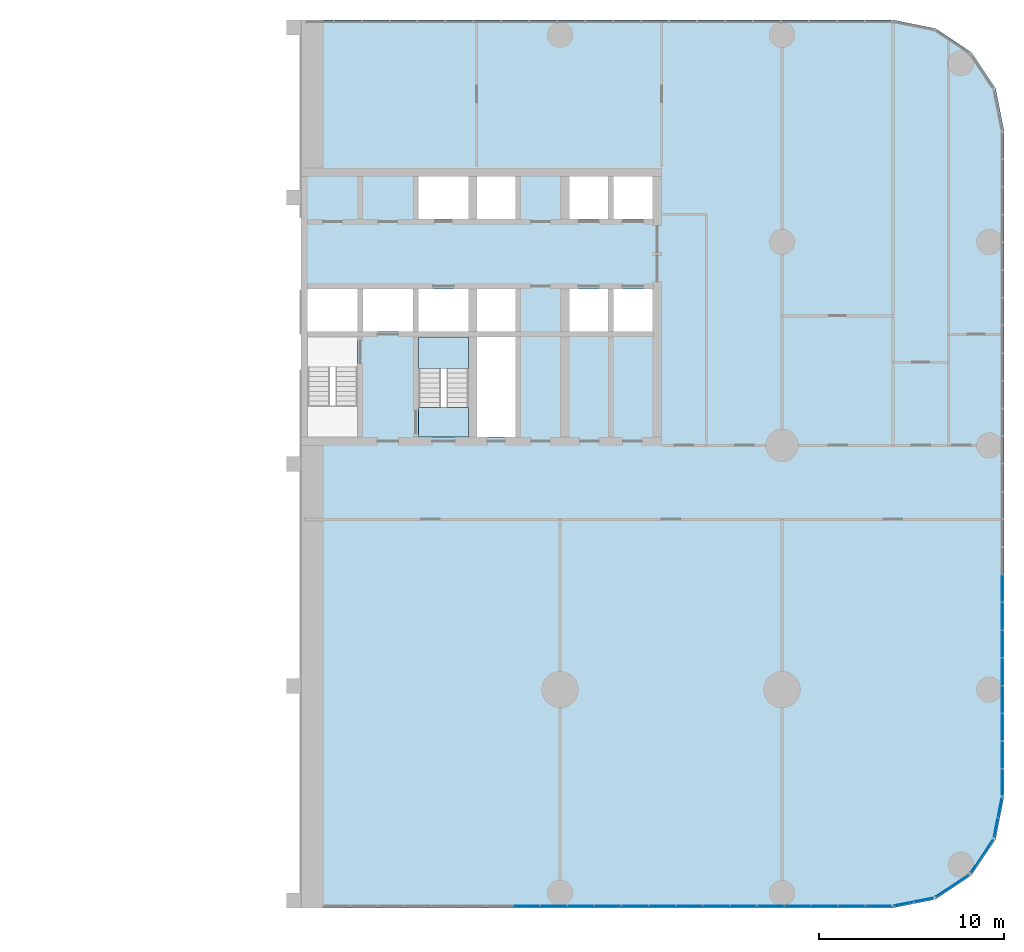
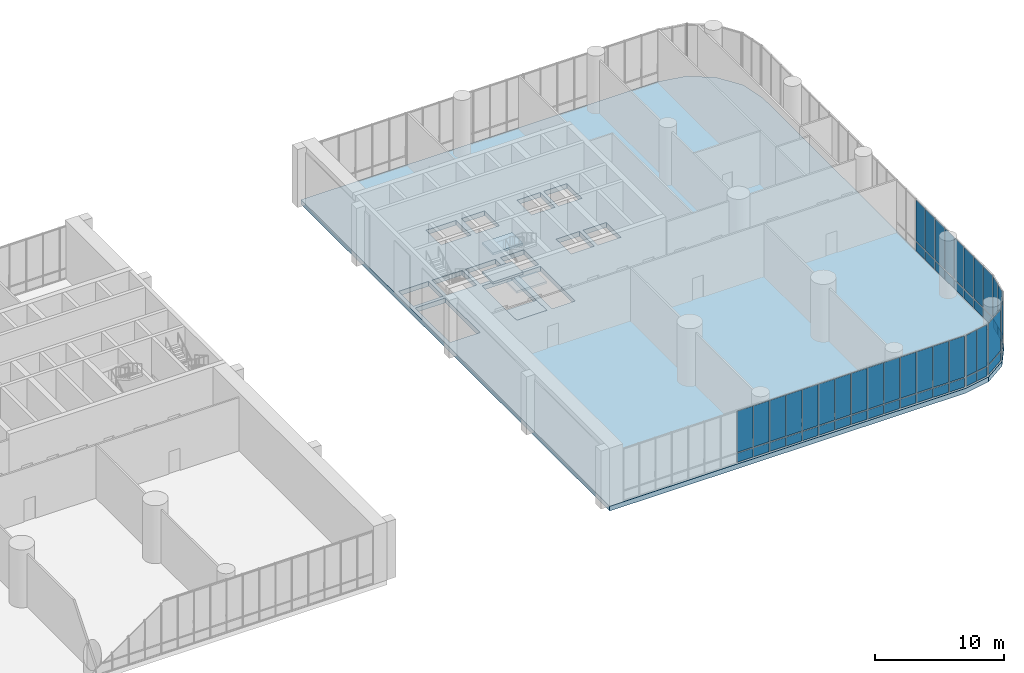
# One storey, part 19 of 28: 56 plates, 5 slabs, 7 elements without a shape of their own.
"""IFC4 building model written with IfcOpenShell, lengths in metres."""

from ifc_helpers import new_model, si_unit, direction, frame, origin, origin_2d, place, context, subcontext, project, spatial, polyline, rectangle, outline, extrude, material, layer, layer_set, type_object, element, aggregate, save


model = new_model("IFC4")

# Units and contexts
model_context = context("Model", 3, precision=1e-05, world=origin(), true_north=direction((0.0, 1.0)))
body_context = subcontext(model_context, "Body", "Model", "MODEL_VIEW")
ifc_project = project(units=[si_unit("LENGTHUNIT", "METRE"), si_unit("AREAUNIT", "SQUARE_METRE"), si_unit("VOLUMEUNIT", "CUBIC_METRE"), si_unit("PLANEANGLEUNIT", "RADIAN"), si_unit("MASSUNIT", "GRAM", prefix="KILO")], contexts=[model_context])

# Site, building, storey
site_placement = place(None, origin())
site = spatial("IfcSite", under=ifc_project, at=site_placement, CompositionType="ELEMENT")
building_placement = place(site_placement, origin())
building = spatial("IfcBuilding", under=site, at=building_placement, Name="Torana Hotel and Residences", CompositionType="ELEMENT")
storey_placement = place(building_placement, frame((0.0, 0.0, 7.0)))
storey = spatial("IfcBuildingStorey", under=building, at=storey_placement, Name="L01", CompositionType="ELEMENT", Elevation=7.0)

# Curtain wall, plates
ifc_material_1 = material(Name="Dark anodised aluminium", Category="aluminium")
ifc_layer_1 = layer(ifc_material_1, 0.14990234375)
ifc_layer_set_1 = layer_set([ifc_layer_1], Name="CW5 PODIUM UPPER UNITISED CURTAIN WALL")
curtain_wall_type = type_object("IfcCurtainWallType", Name="CW5 PODIUM UPPER UNITISED CURTAIN WALL", PredefinedType="NOTDEFINED", material=ifc_layer_set_1)
curtain_wall_1_placement = place(storey_placement, origin())
curtain_wall_1 = element("IfcCurtainWall", 1, at=curtain_wall_1_placement, inside=storey, type_object=curtain_wall_type, Name="Curtain wall CW5 L01 e1.0", PredefinedType="NOTDEFINED")
ifc_material_2 = material(Name="Glass clear low-iron laminated double glazed unit", Category="glass")
ifc_layer_2 = layer(ifc_material_2, 0.035888671875)
ifc_layer_set_2 = layer_set([ifc_layer_2], Name="CW5 DARK GLASS PANEL 36")
plate_type = type_object("IfcPlateType", Name="CW5 DARK GLASS PANEL 36", PredefinedType="CURTAIN_PANEL", material=ifc_layer_set_2)
plate_1_placement = place(storey_placement, frame((22.191162109375, -39.89990234375, 0.099853515625), z_axis=(0.0, 0.0, 1.0), x_axis=(1.0, 0.0, 0.0)))
plate_1 = element("IfcPlate", 2, at=plate_1_placement, type_object=plate_type, Name="CW5 panel 8.1", PredefinedType="CURTAIN_PANEL", context=body_context, shape_type="SweptSolid", body=[
    extrude(rectangle(XDim=1.405517578125, YDim=0.035888671875, at=origin_2d()), origin(), (0.0, 0.0, 1.0), 0.85009765625),
])
plate_2_placement = place(storey_placement, frame((22.191162109375, -39.89990234375, 1.050048828125), z_axis=(0.0, 0.0, 1.0), x_axis=(1.0, 0.0, 0.0)))
plate_2 = element("IfcPlate", 3, at=plate_2_placement, type_object=plate_type, Name="CW5 panel 8.2", PredefinedType="CURTAIN_PANEL", context=body_context, shape_type="SweptSolid", body=[
    extrude(rectangle(XDim=1.405517578125, YDim=0.035888671875, at=origin_2d()), origin(), (0.0, 0.0, 1.0), 3.89990234375),
])
plate_3_placement = place(storey_placement, frame((23.65673828125, -39.89990234375, 0.099853515625), z_axis=(0.0, 0.0, 1.0), x_axis=(1.0, 0.0, 0.0)))
plate_3 = element("IfcPlate", 4, at=plate_3_placement, type_object=plate_type, Name="CW5 panel 9.1", PredefinedType="CURTAIN_PANEL", context=body_context, shape_type="SweptSolid", body=[
    extrude(rectangle(XDim=1.405517578125, YDim=0.035888671875, at=origin_2d()), origin(), (0.0, 0.0, 1.0), 0.85009765625),
])
plate_4_placement = place(storey_placement, frame((23.65673828125, -39.89990234375, 1.050048828125), z_axis=(0.0, 0.0, 1.0), x_axis=(1.0, 0.0, 0.0)))
plate_4 = element("IfcPlate", 5, at=plate_4_placement, type_object=plate_type, Name="CW5 panel 9.2", PredefinedType="CURTAIN_PANEL", context=body_context, shape_type="SweptSolid", body=[
    extrude(rectangle(XDim=1.405517578125, YDim=0.035888671875, at=origin_2d()), origin(), (0.0, 0.0, 1.0), 3.89990234375),
])
plate_5_placement = place(storey_placement, frame((25.122314453125, -39.89990234375, 0.099853515625), z_axis=(0.0, 0.0, 1.0), x_axis=(1.0, 0.0, 0.0)))
plate_5 = element("IfcPlate", 6, at=plate_5_placement, type_object=plate_type, Name="CW5 panel 10.1", PredefinedType="CURTAIN_PANEL", context=body_context, shape_type="SweptSolid", body=[
    extrude(rectangle(XDim=1.405517578125, YDim=0.035888671875, at=origin_2d()), origin(), (0.0, 0.0, 1.0), 0.85009765625),
])
plate_6_placement = place(storey_placement, frame((25.122314453125, -39.89990234375, 1.050048828125), z_axis=(0.0, 0.0, 1.0), x_axis=(1.0, 0.0, 0.0)))
plate_6 = element("IfcPlate", 7, at=plate_6_placement, type_object=plate_type, Name="CW5 panel 10.2", PredefinedType="CURTAIN_PANEL", context=body_context, shape_type="SweptSolid", body=[
    extrude(rectangle(XDim=1.405517578125, YDim=0.035888671875, at=origin_2d()), origin(), (0.0, 0.0, 1.0), 3.89990234375),
])
plate_7_placement = place(storey_placement, frame((26.587646484375, -39.89990234375, 0.099853515625), z_axis=(0.0, 0.0, 1.0), x_axis=(1.0, 0.0, 0.0)))
plate_7 = element("IfcPlate", 8, at=plate_7_placement, type_object=plate_type, Name="CW5 panel 11.1", PredefinedType="CURTAIN_PANEL", context=body_context, shape_type="SweptSolid", body=[
    extrude(rectangle(XDim=1.405517578125, YDim=0.035888671875, at=origin_2d()), origin(), (0.0, 0.0, 1.0), 0.85009765625),
])
plate_8_placement = place(storey_placement, frame((26.587646484375, -39.89990234375, 1.050048828125), z_axis=(0.0, 0.0, 1.0), x_axis=(1.0, 0.0, 0.0)))
plate_8 = element("IfcPlate", 9, at=plate_8_placement, type_object=plate_type, Name="CW5 panel 11.2", PredefinedType="CURTAIN_PANEL", context=body_context, shape_type="SweptSolid", body=[
    extrude(rectangle(XDim=1.405517578125, YDim=0.035888671875, at=origin_2d()), origin(), (0.0, 0.0, 1.0), 3.89990234375),
])
plate_9_placement = place(storey_placement, frame((28.05322265625, -39.89990234375, 0.099853515625), z_axis=(0.0, 0.0, 1.0), x_axis=(1.0, 0.0, 0.0)))
plate_9 = element("IfcPlate", 10, at=plate_9_placement, type_object=plate_type, Name="CW5 panel 12.1", PredefinedType="CURTAIN_PANEL", context=body_context, shape_type="SweptSolid", body=[
    extrude(rectangle(XDim=1.405517578125, YDim=0.035888671875, at=origin_2d()), origin(), (0.0, 0.0, 1.0), 0.85009765625),
])
plate_10_placement = place(storey_placement, frame((28.05322265625, -39.89990234375, 1.050048828125), z_axis=(0.0, 0.0, 1.0), x_axis=(1.0, 0.0, 0.0)))
plate_10 = element("IfcPlate", 11, at=plate_10_placement, type_object=plate_type, Name="CW5 panel 12.2", PredefinedType="CURTAIN_PANEL", context=body_context, shape_type="SweptSolid", body=[
    extrude(rectangle(XDim=1.405517578125, YDim=0.035888671875, at=origin_2d()), origin(), (0.0, 0.0, 1.0), 3.89990234375),
])
plate_11_placement = place(storey_placement, frame((29.518798828125, -39.89990234375, 0.099853515625), z_axis=(0.0, 0.0, 1.0), x_axis=(1.0, 0.0, 0.0)))
plate_11 = element("IfcPlate", 12, at=plate_11_placement, type_object=plate_type, Name="CW5 panel 13.1", PredefinedType="CURTAIN_PANEL", context=body_context, shape_type="SweptSolid", body=[
    extrude(rectangle(XDim=1.405517578125, YDim=0.035888671875, at=origin_2d()), origin(), (0.0, 0.0, 1.0), 0.85009765625),
])
plate_12_placement = place(storey_placement, frame((29.518798828125, -39.89990234375, 1.050048828125), z_axis=(0.0, 0.0, 1.0), x_axis=(1.0, 0.0, 0.0)))
plate_12 = element("IfcPlate", 13, at=plate_12_placement, type_object=plate_type, Name="CW5 panel 13.2", PredefinedType="CURTAIN_PANEL", context=body_context, shape_type="SweptSolid", body=[
    extrude(rectangle(XDim=1.405517578125, YDim=0.035888671875, at=origin_2d()), origin(), (0.0, 0.0, 1.0), 3.89990234375),
])
plate_13_placement = place(storey_placement, frame((30.984130859375, -39.89990234375, 0.099853515625), z_axis=(0.0, 0.0, 1.0), x_axis=(1.0, 0.0, 0.0)))
plate_13 = element("IfcPlate", 14, at=plate_13_placement, type_object=plate_type, Name="CW5 panel 14.1", PredefinedType="CURTAIN_PANEL", context=body_context, shape_type="SweptSolid", body=[
    extrude(rectangle(XDim=1.405517578125, YDim=0.035888671875, at=origin_2d()), origin(), (0.0, 0.0, 1.0), 0.85009765625),
])
plate_14_placement = place(storey_placement, frame((30.984130859375, -39.89990234375, 1.050048828125), z_axis=(0.0, 0.0, 1.0), x_axis=(1.0, 0.0, 0.0)))
plate_14 = element("IfcPlate", 15, at=plate_14_placement, type_object=plate_type, Name="CW5 panel 14.2", PredefinedType="CURTAIN_PANEL", context=body_context, shape_type="SweptSolid", body=[
    extrude(rectangle(XDim=1.405517578125, YDim=0.035888671875, at=origin_2d()), origin(), (0.0, 0.0, 1.0), 3.89990234375),
])
plate_15_placement = place(storey_placement, frame((32.44970703125, -39.89990234375, 0.099853515625), z_axis=(0.0, 0.0, 1.0), x_axis=(1.0, 0.0, 0.0)))
plate_15 = element("IfcPlate", 16, at=plate_15_placement, type_object=plate_type, Name="CW5 panel 15.1", PredefinedType="CURTAIN_PANEL", context=body_context, shape_type="SweptSolid", body=[
    extrude(rectangle(XDim=1.405517578125, YDim=0.035888671875, at=origin_2d()), origin(), (0.0, 0.0, 1.0), 0.85009765625),
])
plate_16_placement = place(storey_placement, frame((32.44970703125, -39.89990234375, 1.050048828125), z_axis=(0.0, 0.0, 1.0), x_axis=(1.0, 0.0, 0.0)))
plate_16 = element("IfcPlate", 17, at=plate_16_placement, type_object=plate_type, Name="CW5 panel 15.2", PredefinedType="CURTAIN_PANEL", context=body_context, shape_type="SweptSolid", body=[
    extrude(rectangle(XDim=1.405517578125, YDim=0.035888671875, at=origin_2d()), origin(), (0.0, 0.0, 1.0), 3.89990234375),
])
plate_17_placement = place(storey_placement, frame((33.915283203125, -39.89990234375, 0.099853515625), z_axis=(0.0, 0.0, 1.0), x_axis=(1.0, 0.0, 0.0)))
plate_17 = element("IfcPlate", 18, at=plate_17_placement, type_object=plate_type, Name="CW5 panel 16.1", PredefinedType="CURTAIN_PANEL", context=body_context, shape_type="SweptSolid", body=[
    extrude(rectangle(XDim=1.405517578125, YDim=0.035888671875, at=origin_2d()), origin(), (0.0, 0.0, 1.0), 0.85009765625),
])
plate_18_placement = place(storey_placement, frame((33.915283203125, -39.89990234375, 1.050048828125), z_axis=(0.0, 0.0, 1.0), x_axis=(1.0, 0.0, 0.0)))
plate_18 = element("IfcPlate", 19, at=plate_18_placement, type_object=plate_type, Name="CW5 panel 16.2", PredefinedType="CURTAIN_PANEL", context=body_context, shape_type="SweptSolid", body=[
    extrude(rectangle(XDim=1.405517578125, YDim=0.035888671875, at=origin_2d()), origin(), (0.0, 0.0, 1.0), 3.89990234375),
])
plate_19_placement = place(storey_placement, frame((35.380615234375, -39.89990234375, 0.099853515625), z_axis=(0.0, 0.0, 1.0), x_axis=(1.0, 0.0, 0.0)))
plate_19 = element("IfcPlate", 20, at=plate_19_placement, type_object=plate_type, Name="CW5 panel 17.1", PredefinedType="CURTAIN_PANEL", context=body_context, shape_type="SweptSolid", body=[
    extrude(rectangle(XDim=1.405517578125, YDim=0.035888671875, at=origin_2d()), origin(), (0.0, 0.0, 1.0), 0.85009765625),
])
plate_20_placement = place(storey_placement, frame((35.380615234375, -39.89990234375, 1.050048828125), z_axis=(0.0, 0.0, 1.0), x_axis=(1.0, 0.0, 0.0)))
plate_20 = element("IfcPlate", 21, at=plate_20_placement, type_object=plate_type, Name="CW5 panel 17.2", PredefinedType="CURTAIN_PANEL", context=body_context, shape_type="SweptSolid", body=[
    extrude(rectangle(XDim=1.405517578125, YDim=0.035888671875, at=origin_2d()), origin(), (0.0, 0.0, 1.0), 3.89990234375),
])
plate_21_placement = place(storey_placement, frame((36.84619140625, -39.89990234375, 0.099853515625), z_axis=(0.0, 0.0, 1.0), x_axis=(1.0, 0.0, 0.0)))
plate_21 = element("IfcPlate", 22, at=plate_21_placement, type_object=plate_type, Name="CW5 panel 18.1", PredefinedType="CURTAIN_PANEL", context=body_context, shape_type="SweptSolid", body=[
    extrude(rectangle(XDim=1.405517578125, YDim=0.035888671875, at=origin_2d()), origin(), (0.0, 0.0, 1.0), 0.85009765625),
])
plate_22_placement = place(storey_placement, frame((36.84619140625, -39.89990234375, 1.050048828125), z_axis=(0.0, 0.0, 1.0), x_axis=(1.0, 0.0, 0.0)))
plate_22 = element("IfcPlate", 23, at=plate_22_placement, type_object=plate_type, Name="CW5 panel 18.2", PredefinedType="CURTAIN_PANEL", context=body_context, shape_type="SweptSolid", body=[
    extrude(rectangle(XDim=1.405517578125, YDim=0.035888671875, at=origin_2d()), origin(), (0.0, 0.0, 1.0), 3.89990234375),
])
plate_23_placement = place(storey_placement, frame((38.311767578125, -39.89990234375, 0.099853515625), z_axis=(0.0, 0.0, 1.0), x_axis=(1.0, 0.0, 0.0)))
plate_23 = element("IfcPlate", 24, at=plate_23_placement, type_object=plate_type, Name="CW5 panel 19.1", PredefinedType="CURTAIN_PANEL", context=body_context, shape_type="SweptSolid", body=[
    extrude(rectangle(XDim=1.405517578125, YDim=0.035888671875, at=origin_2d()), origin(), (0.0, 0.0, 1.0), 0.85009765625),
])
plate_24_placement = place(storey_placement, frame((38.311767578125, -39.89990234375, 1.050048828125), z_axis=(0.0, 0.0, 1.0), x_axis=(1.0, 0.0, 0.0)))
plate_24 = element("IfcPlate", 25, at=plate_24_placement, type_object=plate_type, Name="CW5 panel 19.2", PredefinedType="CURTAIN_PANEL", context=body_context, shape_type="SweptSolid", body=[
    extrude(rectangle(XDim=1.405517578125, YDim=0.035888671875, at=origin_2d()), origin(), (0.0, 0.0, 1.0), 3.89990234375),
])
plate_25_placement = place(storey_placement, frame((39.777099609375, -39.89990234375, 0.099853515625), z_axis=(0.0, 0.0, 1.0), x_axis=(1.0, 0.0, 0.0)))
plate_25 = element("IfcPlate", 26, at=plate_25_placement, type_object=plate_type, Name="CW5 panel 20.1", PredefinedType="CURTAIN_PANEL", context=body_context, shape_type="SweptSolid", body=[
    extrude(rectangle(XDim=1.405517578125, YDim=0.035888671875, at=origin_2d()), origin(), (0.0, 0.0, 1.0), 0.85009765625),
])
plate_26_placement = place(storey_placement, frame((39.777099609375, -39.89990234375, 1.050048828125), z_axis=(0.0, 0.0, 1.0), x_axis=(1.0, 0.0, 0.0)))
plate_26 = element("IfcPlate", 27, at=plate_26_placement, type_object=plate_type, Name="CW5 panel 20.2", PredefinedType="CURTAIN_PANEL", context=body_context, shape_type="SweptSolid", body=[
    extrude(rectangle(XDim=1.405517578125, YDim=0.035888671875, at=origin_2d()), origin(), (0.0, 0.0, 1.0), 3.89990234375),
])
plate_27_placement = place(storey_placement, frame((41.2275390625, -39.89990234375, 0.099853515625), z_axis=(0.0, 0.0, 1.0), x_axis=(1.0, 0.0, 0.0)))
plate_27 = element("IfcPlate", 28, at=plate_27_placement, type_object=plate_type, Name="CW5 panel 21.1", PredefinedType="CURTAIN_PANEL", context=body_context, shape_type="SweptSolid", body=[
    extrude(rectangle(XDim=1.37548828125, YDim=0.035888671875, at=origin_2d()), origin(), (0.0, 0.0, 1.0), 0.85009765625),
])
plate_28_placement = place(storey_placement, frame((41.2275390625, -39.89990234375, 1.050048828125), z_axis=(0.0, 0.0, 1.0), x_axis=(1.0, 0.0, 0.0)))
plate_28 = element("IfcPlate", 29, at=plate_28_placement, type_object=plate_type, Name="CW5 panel 21.2", PredefinedType="CURTAIN_PANEL", context=body_context, shape_type="SweptSolid", body=[
    extrude(rectangle(XDim=1.37548828125, YDim=0.035888671875, at=origin_2d()), origin(), (0.0, 0.0, 1.0), 3.89990234375),
])
aggregate(curtain_wall_1, [plate_1, plate_2, plate_3, plate_4, plate_5, plate_6, plate_7, plate_8, plate_9, plate_10, plate_11, plate_12, plate_13, plate_14, plate_15, plate_16, plate_17, plate_18, plate_19, plate_20, plate_21, plate_22, plate_23, plate_24, plate_25, plate_26, plate_27, plate_28])

curtain_wall_2_placement = place(storey_placement, origin())
curtain_wall_2 = element("IfcCurtainWall", 30, at=curtain_wall_2_placement, inside=storey, type_object=curtain_wall_type, Name="Curtain wall CW5 L01 e1.1", PredefinedType="NOTDEFINED")
plate_29_placement = place(storey_placement, frame((42.5751953125, -39.78369140625, 0.099853515625), z_axis=(0.0, 0.0, 1.0), x_axis=(0.980787135335, 0.195080996415, 0.0)))
plate_29 = element("IfcPlate", 31, at=plate_29_placement, type_object=plate_type, Name="CW5 panel 1.1", PredefinedType="CURTAIN_PANEL", context=body_context, shape_type="SweptSolid", body=[
    extrude(rectangle(XDim=1.04345703125, YDim=0.035888671875, at=origin_2d()), origin(), (0.0, 0.0, 1.0), 0.85009765625),
])
plate_30_placement = place(storey_placement, frame((42.5751953125, -39.78369140625, 1.050048828125), z_axis=(0.0, 0.0, 1.0), x_axis=(0.980787135335, 0.195080996415, 0.0)))
plate_30 = element("IfcPlate", 32, at=plate_30_placement, type_object=plate_type, Name="CW5 panel 1.2", PredefinedType="CURTAIN_PANEL", context=body_context, shape_type="SweptSolid", body=[
    extrude(rectangle(XDim=1.04345703125, YDim=0.035888671875, at=origin_2d()), origin(), (0.0, 0.0, 1.0), 3.89990234375),
])
plate_31_placement = place(storey_placement, frame((43.6572265625, -39.568359375, 0.099853515625), z_axis=(0.0, 0.0, 1.0), x_axis=(0.980787135335, 0.195080996415, 0.0)))
plate_31 = element("IfcPlate", 33, at=plate_31_placement, type_object=plate_type, Name="CW5 panel 2.1", PredefinedType="CURTAIN_PANEL", context=body_context, shape_type="SweptSolid", body=[
    extrude(rectangle(XDim=1.04345703125, YDim=0.035888671875, at=origin_2d()), origin(), (0.0, 0.0, 1.0), 0.85009765625),
])
plate_32_placement = place(storey_placement, frame((43.6572265625, -39.568359375, 1.050048828125), z_axis=(0.0, 0.0, 1.0), x_axis=(0.980787135335, 0.195080996415, 0.0)))
plate_32 = element("IfcPlate", 34, at=plate_32_placement, type_object=plate_type, Name="CW5 panel 2.2", PredefinedType="CURTAIN_PANEL", context=body_context, shape_type="SweptSolid", body=[
    extrude(rectangle(XDim=1.04345703125, YDim=0.035888671875, at=origin_2d()), origin(), (0.0, 0.0, 1.0), 3.89990234375),
])
aggregate(curtain_wall_2, [plate_29, plate_30, plate_31, plate_32])

curtain_wall_3_placement = place(storey_placement, origin())
curtain_wall_3 = element("IfcCurtainWall", 35, at=curtain_wall_3_placement, inside=storey, type_object=curtain_wall_type, Name="Curtain wall CW5 L01 e1.2", PredefinedType="NOTDEFINED")
plate_33_placement = place(storey_placement, frame((45.2138671875, -38.809814453125, 0.099853515625), z_axis=(0.0, 0.0, 1.0), x_axis=(0.831459585616, 0.555585238723, 0.0)))
plate_33 = element("IfcPlate", 36, at=plate_33_placement, type_object=plate_type, Name="CW5 panel 1.1", PredefinedType="CURTAIN_PANEL", context=body_context, shape_type="SweptSolid", body=[
    extrude(rectangle(XDim=2.12158203125, YDim=0.035888671875, at=origin_2d()), origin(), (0.0, 0.0, 1.0), 0.85009765625),
])
plate_34_placement = place(storey_placement, frame((45.2138671875, -38.809814453125, 1.050048828125), z_axis=(0.0, 0.0, 1.0), x_axis=(0.831459585616, 0.555585238723, 0.0)))
plate_34 = element("IfcPlate", 37, at=plate_34_placement, type_object=plate_type, Name="CW5 panel 1.2", PredefinedType="CURTAIN_PANEL", context=body_context, shape_type="SweptSolid", body=[
    extrude(rectangle(XDim=2.12158203125, YDim=0.035888671875, at=origin_2d()), origin(), (0.0, 0.0, 1.0), 3.89990234375),
])
aggregate(curtain_wall_3, [plate_33, plate_34])

curtain_wall_4_placement = place(storey_placement, origin())
curtain_wall_4 = element("IfcCurtainWall", 38, at=curtain_wall_4_placement, inside=storey, type_object=curtain_wall_type, Name="Curtain wall CW5 L01 e1.3", PredefinedType="NOTDEFINED")
plate_35_placement = place(storey_placement, frame((46.809814453125, -37.2138671875, 0.099853515625), z_axis=(0.0, 0.0, 1.0), x_axis=(0.555585238723, 0.831459585616, 0.0)))
plate_35 = element("IfcPlate", 39, at=plate_35_placement, type_object=plate_type, Name="CW5 panel 1.1", PredefinedType="CURTAIN_PANEL", context=body_context, shape_type="SweptSolid", body=[
    extrude(rectangle(XDim=2.12158203125, YDim=0.035888671875, at=origin_2d()), origin(), (0.0, 0.0, 1.0), 0.85009765625),
])
plate_36_placement = place(storey_placement, frame((46.809814453125, -37.2138671875, 1.050048828125), z_axis=(0.0, 0.0, 1.0), x_axis=(0.555585238723, 0.831459585616, 0.0)))
plate_36 = element("IfcPlate", 40, at=plate_36_placement, type_object=plate_type, Name="CW5 panel 1.2", PredefinedType="CURTAIN_PANEL", context=body_context, shape_type="SweptSolid", body=[
    extrude(rectangle(XDim=2.12158203125, YDim=0.035888671875, at=origin_2d()), origin(), (0.0, 0.0, 1.0), 3.89990234375),
])
aggregate(curtain_wall_4, [plate_35, plate_36])

curtain_wall_5_placement = place(storey_placement, origin())
curtain_wall_5 = element("IfcCurtainWall", 41, at=curtain_wall_5_placement, inside=storey, type_object=curtain_wall_type, Name="Curtain wall CW5 L01 e1.4", PredefinedType="NOTDEFINED")
plate_37_placement = place(storey_placement, frame((47.568359375, -35.6572265625, 0.099853515625), z_axis=(0.0, 0.0, 1.0), x_axis=(0.195080996415, 0.980787135335, 0.0)))
plate_37 = element("IfcPlate", 42, at=plate_37_placement, type_object=plate_type, Name="CW5 panel 1.1", PredefinedType="CURTAIN_PANEL", context=body_context, shape_type="SweptSolid", body=[
    extrude(rectangle(XDim=1.04345703125, YDim=0.035888671875, at=origin_2d()), origin(), (0.0, 0.0, 1.0), 0.85009765625),
])
plate_38_placement = place(storey_placement, frame((47.568359375, -35.6572265625, 1.050048828125), z_axis=(0.0, 0.0, 1.0), x_axis=(0.195080996415, 0.980787135335, 0.0)))
plate_38 = element("IfcPlate", 43, at=plate_38_placement, type_object=plate_type, Name="CW5 panel 1.2", PredefinedType="CURTAIN_PANEL", context=body_context, shape_type="SweptSolid", body=[
    extrude(rectangle(XDim=1.04345703125, YDim=0.035888671875, at=origin_2d()), origin(), (0.0, 0.0, 1.0), 3.89990234375),
])
plate_39_placement = place(storey_placement, frame((47.78369140625, -34.5751953125, 0.099853515625), z_axis=(0.0, 0.0, 1.0), x_axis=(0.195080996415, 0.980787135335, 0.0)))
plate_39 = element("IfcPlate", 44, at=plate_39_placement, type_object=plate_type, Name="CW5 panel 2.1", PredefinedType="CURTAIN_PANEL", context=body_context, shape_type="SweptSolid", body=[
    extrude(rectangle(XDim=1.04345703125, YDim=0.035888671875, at=origin_2d()), origin(), (0.0, 0.0, 1.0), 0.85009765625),
])
plate_40_placement = place(storey_placement, frame((47.78369140625, -34.5751953125, 1.050048828125), z_axis=(0.0, 0.0, 1.0), x_axis=(0.195080996415, 0.980787135335, 0.0)))
plate_40 = element("IfcPlate", 45, at=plate_40_placement, type_object=plate_type, Name="CW5 panel 2.2", PredefinedType="CURTAIN_PANEL", context=body_context, shape_type="SweptSolid", body=[
    extrude(rectangle(XDim=1.04345703125, YDim=0.035888671875, at=origin_2d()), origin(), (0.0, 0.0, 1.0), 3.89990234375),
])
aggregate(curtain_wall_5, [plate_37, plate_38, plate_39, plate_40])

curtain_wall_6_placement = place(storey_placement, origin())
curtain_wall_6 = element("IfcCurtainWall", 46, at=curtain_wall_6_placement, inside=storey, type_object=curtain_wall_type, Name="Curtain wall CW5 L01 e1.5", PredefinedType="NOTDEFINED")
plate_41_placement = place(storey_placement, frame((47.89990234375, -33.21142578125, 0.099853515625), z_axis=(0.0, 0.0, 1.0), x_axis=(0.0, 1.0, 0.0)))
plate_41 = element("IfcPlate", 47, at=plate_41_placement, type_object=plate_type, Name="CW5 panel 1.1", PredefinedType="CURTAIN_PANEL", context=body_context, shape_type="SweptSolid", body=[
    extrude(rectangle(XDim=1.407958984375, YDim=0.035888671875, at=origin_2d()), origin(), (0.0, 0.0, 1.0), 0.85009765625),
])
plate_42_placement = place(storey_placement, frame((47.89990234375, -33.21142578125, 1.050048828125), z_axis=(0.0, 0.0, 1.0), x_axis=(0.0, 1.0, 0.0)))
plate_42 = element("IfcPlate", 48, at=plate_42_placement, type_object=plate_type, Name="CW5 panel 1.2", PredefinedType="CURTAIN_PANEL", context=body_context, shape_type="SweptSolid", body=[
    extrude(rectangle(XDim=1.407958984375, YDim=0.035888671875, at=origin_2d()), origin(), (0.0, 0.0, 1.0), 3.89990234375),
])
plate_43_placement = place(storey_placement, frame((47.89990234375, -31.728515625, 0.099853515625), z_axis=(0.0, 0.0, 1.0), x_axis=(0.0, 1.0, 0.0)))
plate_43 = element("IfcPlate", 49, at=plate_43_placement, type_object=plate_type, Name="CW5 panel 2.1", PredefinedType="CURTAIN_PANEL", context=body_context, shape_type="SweptSolid", body=[
    extrude(rectangle(XDim=1.43798828125, YDim=0.035888671875, at=origin_2d()), origin(), (0.0, 0.0, 1.0), 0.85009765625),
])
plate_44_placement = place(storey_placement, frame((47.89990234375, -31.728515625, 1.050048828125), z_axis=(0.0, 0.0, 1.0), x_axis=(0.0, 1.0, 0.0)))
plate_44 = element("IfcPlate", 50, at=plate_44_placement, type_object=plate_type, Name="CW5 panel 2.2", PredefinedType="CURTAIN_PANEL", context=body_context, shape_type="SweptSolid", body=[
    extrude(rectangle(XDim=1.43798828125, YDim=0.035888671875, at=origin_2d()), origin(), (0.0, 0.0, 1.0), 3.89990234375),
])
plate_45_placement = place(storey_placement, frame((47.89990234375, -30.23046875, 0.099853515625), z_axis=(0.0, 0.0, 1.0), x_axis=(0.0, 1.0, 0.0)))
plate_45 = element("IfcPlate", 51, at=plate_45_placement, type_object=plate_type, Name="CW5 panel 3.1", PredefinedType="CURTAIN_PANEL", context=body_context, shape_type="SweptSolid", body=[
    extrude(rectangle(XDim=1.43798828125, YDim=0.035888671875, at=origin_2d()), origin(), (0.0, 0.0, 1.0), 0.85009765625),
])
plate_46_placement = place(storey_placement, frame((47.89990234375, -30.23046875, 1.050048828125), z_axis=(0.0, 0.0, 1.0), x_axis=(0.0, 1.0, 0.0)))
plate_46 = element("IfcPlate", 52, at=plate_46_placement, type_object=plate_type, Name="CW5 panel 3.2", PredefinedType="CURTAIN_PANEL", context=body_context, shape_type="SweptSolid", body=[
    extrude(rectangle(XDim=1.43798828125, YDim=0.035888671875, at=origin_2d()), origin(), (0.0, 0.0, 1.0), 3.89990234375),
])
plate_47_placement = place(storey_placement, frame((47.89990234375, -28.732666015625, 0.099853515625), z_axis=(0.0, 0.0, 1.0), x_axis=(0.0, 1.0, 0.0)))
plate_47 = element("IfcPlate", 53, at=plate_47_placement, type_object=plate_type, Name="CW5 panel 4.1", PredefinedType="CURTAIN_PANEL", context=body_context, shape_type="SweptSolid", body=[
    extrude(rectangle(XDim=1.43798828125, YDim=0.035888671875, at=origin_2d()), origin(), (0.0, 0.0, 1.0), 0.85009765625),
])
plate_48_placement = place(storey_placement, frame((47.89990234375, -28.732666015625, 1.050048828125), z_axis=(0.0, 0.0, 1.0), x_axis=(0.0, 1.0, 0.0)))
plate_48 = element("IfcPlate", 54, at=plate_48_placement, type_object=plate_type, Name="CW5 panel 4.2", PredefinedType="CURTAIN_PANEL", context=body_context, shape_type="SweptSolid", body=[
    extrude(rectangle(XDim=1.43798828125, YDim=0.035888671875, at=origin_2d()), origin(), (0.0, 0.0, 1.0), 3.89990234375),
])
plate_49_placement = place(storey_placement, frame((47.89990234375, -27.234619140625, 0.099853515625), z_axis=(0.0, 0.0, 1.0), x_axis=(0.0, 1.0, 0.0)))
plate_49 = element("IfcPlate", 55, at=plate_49_placement, type_object=plate_type, Name="CW5 panel 5.1", PredefinedType="CURTAIN_PANEL", context=body_context, shape_type="SweptSolid", body=[
    extrude(rectangle(XDim=1.43798828125, YDim=0.035888671875, at=origin_2d()), origin(), (0.0, 0.0, 1.0), 0.85009765625),
])
plate_50_placement = place(storey_placement, frame((47.89990234375, -27.234619140625, 1.050048828125), z_axis=(0.0, 0.0, 1.0), x_axis=(0.0, 1.0, 0.0)))
plate_50 = element("IfcPlate", 56, at=plate_50_placement, type_object=plate_type, Name="CW5 panel 5.2", PredefinedType="CURTAIN_PANEL", context=body_context, shape_type="SweptSolid", body=[
    extrude(rectangle(XDim=1.43798828125, YDim=0.035888671875, at=origin_2d()), origin(), (0.0, 0.0, 1.0), 3.89990234375),
])
plate_51_placement = place(storey_placement, frame((47.89990234375, -25.736572265625, 0.099853515625), z_axis=(0.0, 0.0, 1.0), x_axis=(0.0, 1.0, 0.0)))
plate_51 = element("IfcPlate", 57, at=plate_51_placement, type_object=plate_type, Name="CW5 panel 6.1", PredefinedType="CURTAIN_PANEL", context=body_context, shape_type="SweptSolid", body=[
    extrude(rectangle(XDim=1.43798828125, YDim=0.035888671875, at=origin_2d()), origin(), (0.0, 0.0, 1.0), 0.85009765625),
])
plate_52_placement = place(storey_placement, frame((47.89990234375, -25.736572265625, 1.050048828125), z_axis=(0.0, 0.0, 1.0), x_axis=(0.0, 1.0, 0.0)))
plate_52 = element("IfcPlate", 58, at=plate_52_placement, type_object=plate_type, Name="CW5 panel 6.2", PredefinedType="CURTAIN_PANEL", context=body_context, shape_type="SweptSolid", body=[
    extrude(rectangle(XDim=1.43798828125, YDim=0.035888671875, at=origin_2d()), origin(), (0.0, 0.0, 1.0), 3.89990234375),
])
plate_53_placement = place(storey_placement, frame((47.89990234375, -24.23876953125, 0.099853515625), z_axis=(0.0, 0.0, 1.0), x_axis=(0.0, 1.0, 0.0)))
plate_53 = element("IfcPlate", 59, at=plate_53_placement, type_object=plate_type, Name="CW5 panel 7.1", PredefinedType="CURTAIN_PANEL", context=body_context, shape_type="SweptSolid", body=[
    extrude(rectangle(XDim=1.43798828125, YDim=0.035888671875, at=origin_2d()), origin(), (0.0, 0.0, 1.0), 0.85009765625),
])
plate_54_placement = place(storey_placement, frame((47.89990234375, -24.23876953125, 1.050048828125), z_axis=(0.0, 0.0, 1.0), x_axis=(0.0, 1.0, 0.0)))
plate_54 = element("IfcPlate", 60, at=plate_54_placement, type_object=plate_type, Name="CW5 panel 7.2", PredefinedType="CURTAIN_PANEL", context=body_context, shape_type="SweptSolid", body=[
    extrude(rectangle(XDim=1.43798828125, YDim=0.035888671875, at=origin_2d()), origin(), (0.0, 0.0, 1.0), 3.89990234375),
])
plate_55_placement = place(storey_placement, frame((47.89990234375, -22.74072265625, 0.099853515625), z_axis=(0.0, 0.0, 1.0), x_axis=(0.0, 1.0, 0.0)))
plate_55 = element("IfcPlate", 61, at=plate_55_placement, type_object=plate_type, Name="CW5 panel 8.1", PredefinedType="CURTAIN_PANEL", context=body_context, shape_type="SweptSolid", body=[
    extrude(rectangle(XDim=1.43798828125, YDim=0.035888671875, at=origin_2d()), origin(), (0.0, 0.0, 1.0), 0.85009765625),
])
plate_56_placement = place(storey_placement, frame((47.89990234375, -22.74072265625, 1.050048828125), z_axis=(0.0, 0.0, 1.0), x_axis=(0.0, 1.0, 0.0)))
plate_56 = element("IfcPlate", 62, at=plate_56_placement, type_object=plate_type, Name="CW5 panel 8.2", PredefinedType="CURTAIN_PANEL", context=body_context, shape_type="SweptSolid", body=[
    extrude(rectangle(XDim=1.43798828125, YDim=0.035888671875, at=origin_2d()), origin(), (0.0, 0.0, 1.0), 3.89990234375),
])
aggregate(curtain_wall_6, [plate_41, plate_42, plate_43, plate_44, plate_45, plate_46, plate_47, plate_48, plate_49, plate_50, plate_51, plate_52, plate_53, plate_54, plate_55, plate_56])

# Slab
ifc_material_3 = material(Name="Concrete C40/50", Category="concrete")
ifc_layer_3 = layer(ifc_material_3, 0.449951171875)
ifc_layer_set_3 = layer_set([ifc_layer_3], Name="FLOOR SLAB PT 450")
slab_type_1 = type_object("IfcSlabType", Name="FLOOR SLAB PT 450", PredefinedType="FLOOR", material=ifc_layer_set_3)
slab_1_placement = place(storey_placement, frame((0.0, 0.0, -0.449951171875)))
element("IfcSlab", 63, at=slab_1_placement, inside=storey, type_object=slab_type_1, Name="Floor slab", PredefinedType="FLOOR", context=body_context, shape_type="SweptSolid", body=[
    extrude(outline(polyline([(10.0, -40.0), (42.0, -40.0), (44.296142578125, -39.543212890625), (46.24267578125, -38.24267578125), (47.543212890625, -36.296142578125), (48.0, -34.0), (48.0, 2.0), (47.543212890625, 4.296142578125), (46.24267578125, 6.24267578125), (44.296142578125, 7.543212890625), (42.0, 8.0), (10.0, 8.0), (10.0, -40.0)]), holes=[polyline([(10.35009765625, -14.550048828125), (13.050048828125, -14.550048828125), (13.050048828125, -9.14990234375), (10.35009765625, -9.14990234375), (10.35009765625, -14.550048828125)]), polyline([(16.35009765625, -14.550048828125), (19.050048828125, -14.550048828125), (19.050048828125, -9.14990234375), (16.35009765625, -9.14990234375), (16.35009765625, -14.550048828125)]), polyline([(16.35009765625, -2.75), (19.050048828125, -2.75), (19.050048828125, -0.449951171875), (16.35009765625, -0.449951171875), (16.35009765625, -2.75)]), polyline([(24.5, -2.75), (26.60009765625, -2.75), (26.60009765625, -0.449951171875), (24.5, -0.449951171875), (24.5, -2.75)]), polyline([(26.89990234375, -2.75), (29.0, -2.75), (29.0, -0.449951171875), (26.89990234375, -0.449951171875), (26.89990234375, -2.75)]), polyline([(24.5, -8.85009765625), (26.60009765625, -8.85009765625), (26.60009765625, -6.550048828125), (24.5, -6.550048828125), (24.5, -8.85009765625)]), polyline([(26.89990234375, -8.85009765625), (29.0, -8.85009765625), (29.0, -6.550048828125), (26.89990234375, -6.550048828125), (26.89990234375, -8.85009765625)]), polyline([(19.5, -2.75), (21.60009765625, -2.75), (21.60009765625, -0.449951171875), (19.5, -0.449951171875), (19.5, -2.75)]), polyline([(19.5, -8.85009765625), (21.60009765625, -8.85009765625), (21.60009765625, -6.550048828125), (19.5, -6.550048828125), (19.5, -8.85009765625)]), polyline([(10.35009765625, -8.85009765625), (13.050048828125, -8.85009765625), (13.050048828125, -6.550048828125), (10.35009765625, -6.550048828125), (10.35009765625, -8.85009765625)]), polyline([(13.35009765625, -8.85009765625), (16.050048828125, -8.85009765625), (16.050048828125, -6.550048828125), (13.35009765625, -6.550048828125), (13.35009765625, -8.85009765625)]), polyline([(16.35009765625, -8.85009765625), (19.050048828125, -8.85009765625), (19.050048828125, -6.550048828125), (16.35009765625, -6.550048828125), (16.35009765625, -8.85009765625)]), polyline([(19.5, -14.550048828125), (21.60009765625, -14.550048828125), (21.60009765625, -9.14990234375), (19.5, -9.14990234375), (19.5, -14.550048828125)])]), origin(), (0.0, 0.0, 1.0), 0.449951171875),
])

# Stair, slabs
ifc_material_4 = material(Name="Concrete C40/50 precast", Category="concrete")
stair_type = type_object("IfcStairType", Name="STAIR ST4 HALF TURN 1200", PredefinedType="HALF_TURN_STAIR", material=ifc_material_4)
stair_placement = place(storey_placement, origin())
stair = element("IfcStair", 64, at=stair_placement, inside=storey, type_object=stair_type, Name="Stair ST4 L01", PredefinedType="HALF_TURN_STAIR")
ifc_material_5 = material(Name="Concrete C40/50 precast", Category="concrete")
ifc_layer_4 = layer(ifc_material_5, 0.199951171875)
ifc_layer_set_4 = layer_set([ifc_layer_4], Name="STAIR LANDING 200")
slab_type_2 = type_object("IfcSlabType", Name="STAIR LANDING 200", PredefinedType="LANDING", material=ifc_layer_set_4)
slab_2_placement = place(storey_placement, frame((0.0, 0.0, 1.175048828125)))
slab_2 = element("IfcSlab", 65, at=slab_2_placement, type_object=slab_type_2, Name="ST4 landing 1", PredefinedType="LANDING", context=body_context, shape_type="SweptSolid", body=[
    extrude(outline(polyline([(16.35009765625, -10.830078125), (19.050048828125, -10.830078125), (19.050048828125, -9.14990234375), (16.35009765625, -9.14990234375), (16.35009765625, -10.830078125)])), origin(), (0.0, 0.0, 1.0), 0.199951171875),
])
slab_3_placement = place(storey_placement, frame((0.0, 0.0, -0.199951171875)))
slab_3 = element("IfcSlab", 66, at=slab_3_placement, type_object=slab_type_2, Name="ST4 landing 2", PredefinedType="LANDING", context=body_context, shape_type="SweptSolid", body=[
    extrude(outline(polyline([(16.35009765625, -14.550048828125), (19.050048828125, -14.550048828125), (19.050048828125, -12.949951171875), (16.35009765625, -12.949951171875), (16.35009765625, -14.550048828125)])), origin(), (0.0, 0.0, 1.0), 0.199951171875),
])
slab_4_placement = place(storey_placement, frame((0.0, 0.0, 3.925048828125)))
slab_4 = element("IfcSlab", 67, at=slab_4_placement, type_object=slab_type_2, Name="ST4 landing 3", PredefinedType="LANDING", context=body_context, shape_type="SweptSolid", body=[
    extrude(outline(polyline([(16.35009765625, -10.830078125), (19.050048828125, -10.830078125), (19.050048828125, -9.14990234375), (16.35009765625, -9.14990234375), (16.35009765625, -10.830078125)])), origin(), (0.0, 0.0, 1.0), 0.199951171875),
])
slab_5_placement = place(storey_placement, frame((0.0, 0.0, 2.550048828125)))
slab_5 = element("IfcSlab", 68, at=slab_5_placement, type_object=slab_type_2, Name="ST4 landing 4", PredefinedType="LANDING", context=body_context, shape_type="SweptSolid", body=[
    extrude(outline(polyline([(16.35009765625, -14.550048828125), (19.050048828125, -14.550048828125), (19.050048828125, -12.949951171875), (16.35009765625, -12.949951171875), (16.35009765625, -14.550048828125)])), origin(), (0.0, 0.0, 1.0), 0.199951171875),
])
aggregate(stair, [slab_2, slab_3, slab_4, slab_5])

save(model, "model.ifc")
